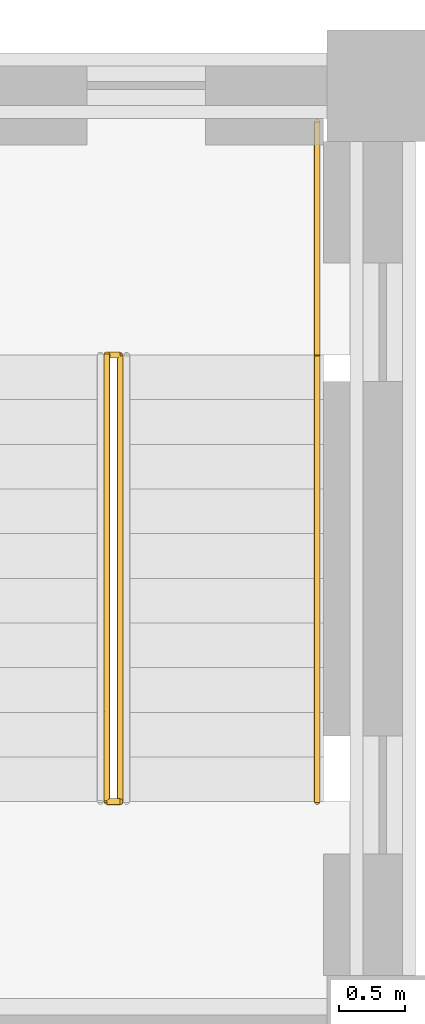
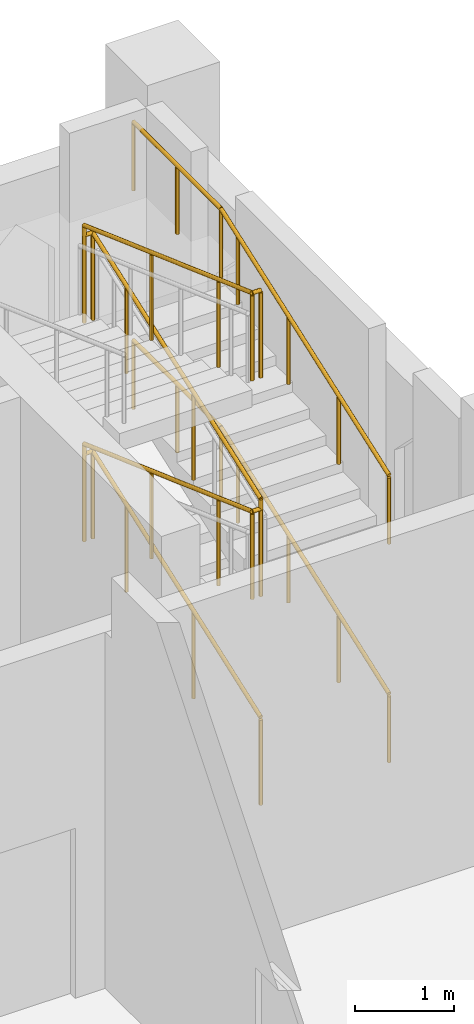
# One storey, part 83 of 83: 3 railings.
"""IFC4 building model written with IfcOpenShell, lengths in metres."""

from ifc_helpers import new_model, si_unit, direction, frame, origin, origin_2d, place, context, subcontext, project, spatial, circle, extrude, material, type_object, element, save


model = new_model("IFC4")

# Units and contexts
model_context = context("Model", 3, precision=1e-05, world=origin(), true_north=direction((0.0, 1.0)))
body_context = subcontext(model_context, "Body", "Model", "MODEL_VIEW")
ifc_project = project(units=[si_unit("LENGTHUNIT", "METRE"), si_unit("AREAUNIT", "SQUARE_METRE"), si_unit("VOLUMEUNIT", "CUBIC_METRE"), si_unit("PLANEANGLEUNIT", "RADIAN"), si_unit("MASSUNIT", "GRAM", prefix="KILO")], contexts=[model_context])

# Site, building, storey
site_placement = place(None, origin())
site = spatial("IfcSite", under=ifc_project, at=site_placement, CompositionType="ELEMENT")
building_placement = place(site_placement, origin())
building = spatial("IfcBuilding", under=site, at=building_placement, Name="Silangan Lancet Faculty of Sciences", CompositionType="ELEMENT")
storey_placement = place(building_placement, frame((0.0, 0.0, 11.39990234375)))
storey = spatial("IfcBuildingStorey", under=building, at=storey_placement, Name="L02", CompositionType="ELEMENT", Elevation=11.39990234375)

# Railings
ifc_material_1 = material(Name="Steel balustrade", Category="steel")
railing_type_1 = type_object("IfcRailingType", Name="STAIR GUARD 1100", PredefinedType="GUARDRAIL", material=ifc_material_1)
railing_1_placement = place(storey_placement, frame((84.39990234375, 52.14990234375, 0.122802734375)))
element("IfcRailing", 1, at=railing_1_placement, inside=storey, type_object=railing_type_1, Name="GUARD-EB-B-L02", PredefinedType="GUARDRAIL", context=body_context, shape_type="SweptSolid", body=[
    extrude(circle(Radius=0.02392578125, at=origin_2d()), frame((0.0, 0.0, 1.076171875), z_axis=(0.0, 0.940621302891, 0.339457750756), x_axis=(-1.0, 0.0, 0.0)), (0.0, 0.0, 1.0), 2.891845703125),
    extrude(circle(Radius=0.02392578125, at=origin_2d()), frame((0.0, 2.72021484375, 2.0576171875), z_axis=(0.0, 0.940520931127, 0.339735747474), x_axis=(-1.0, 0.0, 0.0)), (0.0, 0.0, 1.0), 0.722900390625),
    extrude(circle(Radius=0.02392578125, at=origin_2d()), frame((0.0, 3.400146484375, 2.30322265625), z_axis=(-1.0, 0.0, 0.0), x_axis=(0.0, -1.0, 0.0)), (0.0, 0.0, 1.0), 0.099853515625),
    extrude(circle(Radius=0.02392578125, at=origin_2d()), frame((-0.099853515625, 3.400146484375, 2.30322265625), z_axis=(0.0, 0.0, 1.0), x_axis=(1.0, 0.0, 0.0)), (0.0, 0.0, 1.0), 0.122802734375),
    extrude(circle(Radius=0.02392578125, at=origin_2d()), frame((-0.099853515625, 3.400146484375, 2.42626953125), z_axis=(0.0, -0.940611573742, 0.339484708555), x_axis=(1.0, 0.0, 0.0)), (0.0, 0.0, 1.0), 2.8916015625),
    extrude(circle(Radius=0.02392578125, at=origin_2d()), frame((-0.099853515625, 0.68017578125, 3.40771484375), z_axis=(0.0, -0.940559891121, 0.339627871668), x_axis=(1.0, 0.0, 0.0)), (0.0, 0.0, 1.0), 0.72314453125),
    extrude(circle(Radius=0.02392578125, at=origin_2d()), frame((-0.099853515625, 0.0, 3.6533203125), z_axis=(1.0, 0.0, 0.0), x_axis=(0.0, 1.0, 0.0)), (0.0, 0.0, 1.0), 0.099853515625),
    extrude(circle(Radius=0.02392578125, at=origin_2d()), frame((0.0, 0.0, 3.6533203125), z_axis=(0.0, 0.0, 1.0), x_axis=(1.0, 0.0, 0.0)), (0.0, 0.0, 1.0), 0.12255859375),
    extrude(circle(Radius=0.02392578125, at=origin_2d()), frame((0.0, 0.0, 3.77587890625), z_axis=(0.0, 0.9405943449, 0.339532440781), x_axis=(-1.0, 0.0, 0.0)), (0.0, 0.0, 1.0), 2.89208984375),
    extrude(circle(Radius=0.02392578125, at=origin_2d()), frame((0.0, 2.72021484375, 4.7578125), z_axis=(0.0, 0.940628803885, 0.339436965136), x_axis=(-1.0, 0.0, 0.0)), (0.0, 0.0, 1.0), 0.722900390625),
    extrude(circle(Radius=0.02392578125, at=origin_2d()), frame((0.0, 3.400146484375, 5.00341796875), z_axis=(-1.0, 0.0, 0.0), x_axis=(0.0, -1.0, 0.0)), (0.0, 0.0, 1.0), 0.099853515625),
    extrude(circle(Radius=0.02392578125, at=origin_2d()), frame((-0.099853515625, 3.400146484375, 5.00341796875), z_axis=(0.0, 0.0, 1.0), x_axis=(1.0, 0.0, 0.0)), (0.0, 0.0, 1.0), 0.122802734375),
    extrude(circle(Radius=0.02392578125, at=origin_2d()), frame((-0.099853515625, 3.400146484375, 5.1259765625), z_axis=(0.0, -0.940611573742, 0.339484708555), x_axis=(1.0, 0.0, 0.0)), (0.0, 0.0, 1.0), 2.8916015625),
    extrude(circle(Radius=0.02392578125, at=origin_2d()), frame((-0.099853515625, 0.68017578125, 6.10791015625), z_axis=(0.0, -0.940559891121, 0.339627871668), x_axis=(1.0, 0.0, 0.0)), (0.0, 0.0, 1.0), 0.72314453125),
    extrude(circle(Radius=0.02392578125, at=origin_2d()), frame((-0.099853515625, 0.0, 6.353515625), z_axis=(1.0, 0.0, 0.0), x_axis=(0.0, 1.0, 0.0)), (0.0, 0.0, 1.0), 0.099853515625),
    extrude(circle(Radius=0.02099609375, at=origin_2d()), origin(), (0.0, 0.0, 1.0), 1.052001953125),
    extrude(circle(Radius=0.02099609375, at=origin_2d()), frame((0.0, 1.360107421875, 0.49072265625)), (0.0, 0.0, 1.0), 1.052001953125),
    extrude(circle(Radius=0.02099609375, at=origin_2d()), frame((0.0, 2.72021484375, 0.981689453125)), (0.0, 0.0, 1.0), 1.052001953125),
    extrude(circle(Radius=0.02099609375, at=origin_2d()), frame((0.0, 3.400146484375, 1.227294921875)), (0.0, 0.0, 1.0), 1.052001953125),
    extrude(circle(Radius=0.02099609375, at=origin_2d()), frame((-0.099853515625, 3.400146484375, 1.227294921875)), (0.0, 0.0, 1.0), 1.052001953125),
    extrude(circle(Radius=0.02099609375, at=origin_2d()), frame((-0.099853515625, 3.400146484375, 1.35009765625)), (0.0, 0.0, 1.0), 1.052001953125),
    extrude(circle(Radius=0.02099609375, at=origin_2d()), frame((-0.099853515625, 2.0400390625, 1.8408203125)), (0.0, 0.0, 1.0), 1.052001953125),
    extrude(circle(Radius=0.02099609375, at=origin_2d()), frame((-0.099853515625, 0.68017578125, 2.331787109375)), (0.0, 0.0, 1.0), 1.052001953125),
    extrude(circle(Radius=0.02099609375, at=origin_2d()), frame((-0.099853515625, 0.0, 2.577392578125)), (0.0, 0.0, 1.0), 1.052001953125),
    extrude(circle(Radius=0.02099609375, at=origin_2d()), frame((0.0, 0.0, 2.577392578125)), (0.0, 0.0, 1.0), 1.052001953125),
    extrude(circle(Radius=0.02099609375, at=origin_2d()), frame((0.0, 0.0, 2.699951171875)), (0.0, 0.0, 1.0), 1.052001953125),
    extrude(circle(Radius=0.02099609375, at=origin_2d()), frame((0.0, 1.360107421875, 3.19091796875)), (0.0, 0.0, 1.0), 1.052001953125),
    extrude(circle(Radius=0.02099609375, at=origin_2d()), frame((0.0, 2.72021484375, 3.681884765625)), (0.0, 0.0, 1.0), 1.052001953125),
    extrude(circle(Radius=0.02099609375, at=origin_2d()), frame((0.0, 3.400146484375, 3.92724609375)), (0.0, 0.0, 1.0), 1.052001953125),
    extrude(circle(Radius=0.02099609375, at=origin_2d()), frame((-0.099853515625, 3.400146484375, 3.92724609375)), (0.0, 0.0, 1.0), 1.052001953125),
    extrude(circle(Radius=0.02099609375, at=origin_2d()), frame((-0.099853515625, 3.400146484375, 4.050048828125)), (0.0, 0.0, 1.0), 1.052001953125),
    extrude(circle(Radius=0.02099609375, at=origin_2d()), frame((-0.099853515625, 2.0400390625, 4.541015625)), (0.0, 0.0, 1.0), 1.052001953125),
    extrude(circle(Radius=0.02099609375, at=origin_2d()), frame((-0.099853515625, 0.68017578125, 5.03173828125)), (0.0, 0.0, 1.0), 1.052001953125),
    extrude(circle(Radius=0.02099609375, at=origin_2d()), frame((-0.099853515625, 0.0, 5.27734375)), (0.0, 0.0, 1.0), 1.052001953125),
    extrude(circle(Radius=0.02099609375, at=origin_2d()), frame((0.0, 0.0, 5.27734375)), (0.0, 0.0, 1.0), 1.052001953125),
])
ifc_material_2 = material(Name="Stainless steel", Category="steel")
railing_type_2 = type_object("IfcRailingType", Name="STAIR HANDRAIL 865", PredefinedType="HANDRAIL", material=ifc_material_2)
railing_2_placement = place(storey_placement, frame((85.89990234375, 52.14990234375, 0.122802734375)))
element("IfcRailing", 2, at=railing_2_placement, inside=storey, type_object=railing_type_2, Name="HANDRAIL-EB-B-L02-O1", PredefinedType="HANDRAIL", context=body_context, shape_type="SweptSolid", body=[
    extrude(circle(Radius=0.02392578125, at=origin_2d()), frame((0.0, 0.0, 0.8408203125), z_axis=(0.0, 0.94060583065, 0.339500620541), x_axis=(-1.0, 0.0, 0.0)), (0.0, 0.0, 1.0), 1.08447265625),
    extrude(circle(Radius=0.02392578125, at=origin_2d()), frame((0.0, 1.02001953125, 1.208984375), z_axis=(0.0, 0.94060583065, 0.339500620541), x_axis=(-1.0, 0.0, 0.0)), (0.0, 0.0, 1.0), 1.08447265625),
    extrude(circle(Radius=0.02392578125, at=origin_2d()), frame((0.0, 2.0400390625, 1.5771484375), z_axis=(0.0, 0.94060583065, 0.339500620541), x_axis=(-1.0, 0.0, 0.0)), (0.0, 0.0, 1.0), 1.08447265625),
    extrude(circle(Radius=0.02392578125, at=origin_2d()), frame((0.0, 3.06005859375, 1.9453125), z_axis=(0.0, 0.940559891121, 0.339627871668), x_axis=(-1.0, 0.0, 0.0)), (0.0, 0.0, 1.0), 0.361572265625),
    extrude(circle(Radius=0.02392578125, at=origin_2d()), frame((0.0, 3.400146484375, 2.068359375), z_axis=(0.0, 1.0, 0.0), x_axis=(-1.0, 0.0, 0.0)), (0.0, 0.0, 1.0), 1.77490234375),
    extrude(circle(Radius=0.02099609375, at=origin_2d()), origin(), (0.0, 0.0, 1.0), 0.81689453125),
    extrude(circle(Radius=0.02099609375, at=origin_2d()), frame((0.0, 1.02001953125, 0.3681640625)), (0.0, 0.0, 1.0), 0.81689453125),
    extrude(circle(Radius=0.02099609375, at=origin_2d()), frame((0.0, 2.0400390625, 0.736328125)), (0.0, 0.0, 1.0), 0.81689453125),
    extrude(circle(Radius=0.02099609375, at=origin_2d()), frame((0.0, 3.06005859375, 1.1044921875)), (0.0, 0.0, 1.0), 0.81689453125),
    extrude(circle(Radius=0.02099609375, at=origin_2d()), frame((0.0, 3.400146484375, 1.227294921875)), (0.0, 0.0, 1.0), 0.81689453125),
    extrude(circle(Radius=0.02099609375, at=origin_2d()), frame((0.0, 4.28759765625, 1.227294921875)), (0.0, 0.0, 1.0), 0.81689453125),
    extrude(circle(Radius=0.02099609375, at=origin_2d()), frame((0.0, 5.175048828125, 1.227294921875)), (0.0, 0.0, 1.0), 0.81689453125),
])
railing_3_placement = place(storey_placement, frame((85.89990234375, 52.14990234375, 2.82275390625)))
element("IfcRailing", 3, at=railing_3_placement, inside=storey, type_object=railing_type_2, Name="HANDRAIL-EB-B-L02-O3", PredefinedType="HANDRAIL", context=body_context, shape_type="SweptSolid", body=[
    extrude(circle(Radius=0.02392578125, at=origin_2d()), frame((0.0, 0.0, 0.8408203125), z_axis=(0.0, 0.94060583065, 0.339500620541), x_axis=(-1.0, 0.0, 0.0)), (0.0, 0.0, 1.0), 1.08447265625),
    extrude(circle(Radius=0.02392578125, at=origin_2d()), frame((0.0, 1.02001953125, 1.208984375), z_axis=(0.0, 0.94060583065, 0.339500620541), x_axis=(-1.0, 0.0, 0.0)), (0.0, 0.0, 1.0), 1.08447265625),
    extrude(circle(Radius=0.02392578125, at=origin_2d()), frame((0.0, 2.0400390625, 1.5771484375), z_axis=(0.0, 0.940533921917, 0.339699781755), x_axis=(-1.0, 0.0, 0.0)), (0.0, 0.0, 1.0), 1.08447265625),
    extrude(circle(Radius=0.02392578125, at=origin_2d()), frame((0.0, 3.06005859375, 1.94580078125), z_axis=(0.0, 0.940775438362, 0.339030344622), x_axis=(-1.0, 0.0, 0.0)), (0.0, 0.0, 1.0), 0.361572265625),
    extrude(circle(Radius=0.02392578125, at=origin_2d()), frame((0.0, 3.400146484375, 2.068359375), z_axis=(0.0, 1.0, 0.0), x_axis=(-1.0, 0.0, 0.0)), (0.0, 0.0, 1.0), 1.77490234375),
    extrude(circle(Radius=0.02099609375, at=origin_2d()), origin(), (0.0, 0.0, 1.0), 0.81689453125),
    extrude(circle(Radius=0.02099609375, at=origin_2d()), frame((0.0, 1.02001953125, 0.3681640625)), (0.0, 0.0, 1.0), 0.81689453125),
    extrude(circle(Radius=0.02099609375, at=origin_2d()), frame((0.0, 2.0400390625, 0.736328125)), (0.0, 0.0, 1.0), 0.81689453125),
    extrude(circle(Radius=0.02099609375, at=origin_2d()), frame((0.0, 3.06005859375, 1.104736328125)), (0.0, 0.0, 1.0), 0.81689453125),
    extrude(circle(Radius=0.02099609375, at=origin_2d()), frame((0.0, 3.400146484375, 1.227294921875)), (0.0, 0.0, 1.0), 0.81689453125),
    extrude(circle(Radius=0.02099609375, at=origin_2d()), frame((0.0, 4.28759765625, 1.227294921875)), (0.0, 0.0, 1.0), 0.81689453125),
    extrude(circle(Radius=0.02099609375, at=origin_2d()), frame((0.0, 5.175048828125, 1.227294921875)), (0.0, 0.0, 1.0), 0.81689453125),
])

save(model, "model.ifc")
